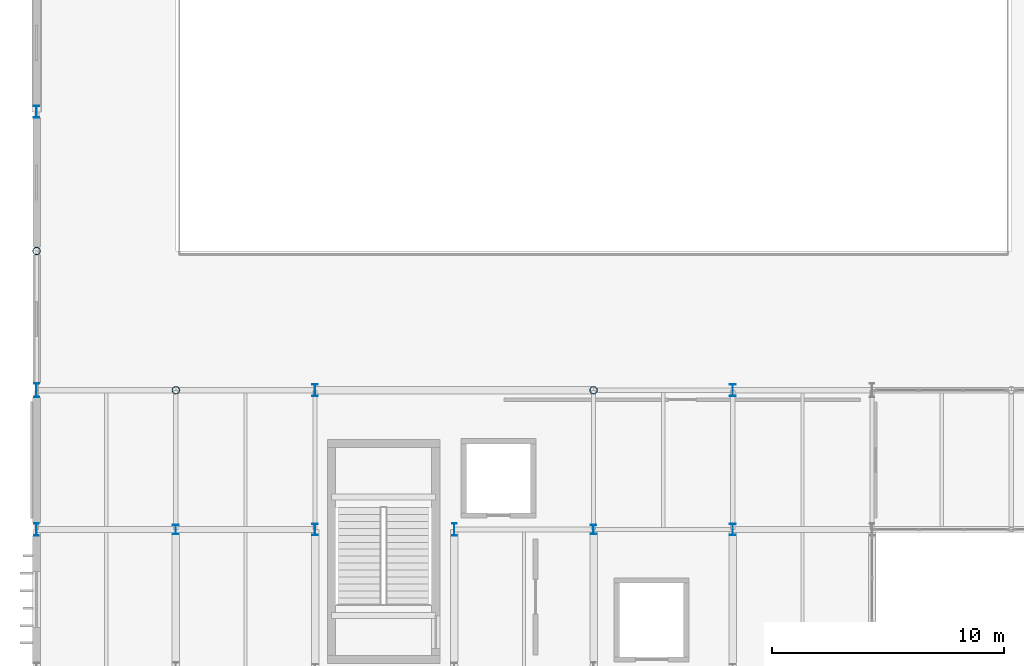
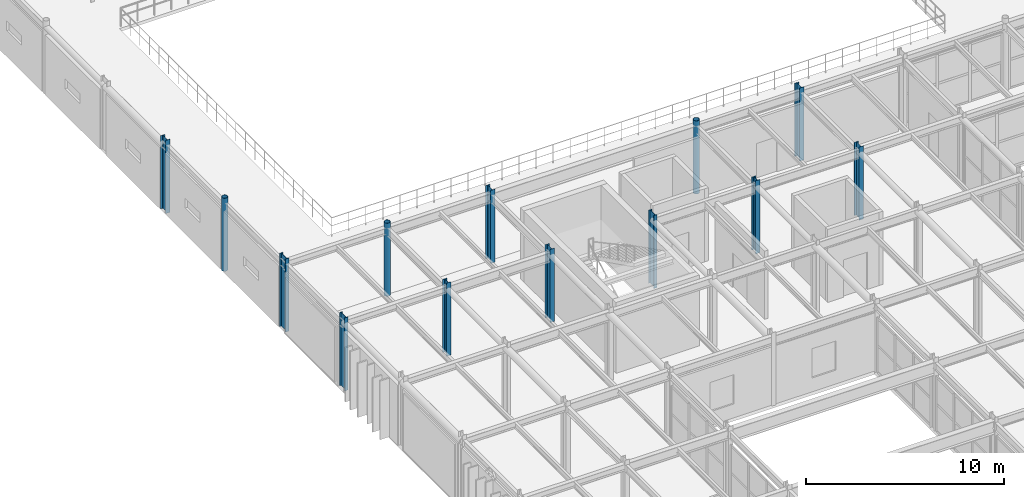
# One storey, part 7 of 84: 13 columns.
"""IFC4 building model written with IfcOpenShell, lengths in metres."""

import ifcopenshell
import ifcopenshell.guid

model = None  # the IFC model being written
_history = None  # IfcOwnerHistory: only IFC2X3 demands one
_inside = {}  # id of a spatial element -> (the spatial element, [elements in it])
_under = {}  # id of a project, library or spatial element -> (it, [spatial elements below it])
_declared = {}  # id of a project -> (the project, [libraries it declares])
_typed = {}  # id of a type object -> (the type object, [elements of that type])
_made_of = {}  # id of a material, layer set ... -> (it, [elements and type objects made of it])


def new_model(schema):
    """Start an empty IFC model of exactly this schema.

    Asked for "IFC4X3", IfcOpenShell would pick the latest addendum, in which some entities
    have other attributes; the version numbers below select the first issue.
    IFC2X3 requires an IfcOwnerHistory on every rooted entity: one is made here for all.
    """
    global model, _history
    if schema == "IFC4X3":
        model = ifcopenshell.file(schema_version=(4, 3, 0, 0))
    else:
        model = ifcopenshell.file(schema=schema)
    _inside.clear()
    _under.clear()
    _declared.clear()
    _typed.clear()
    _made_of.clear()
    _history = None
    if model.schema == "IFC2X3":
        org = make("IfcOrganization", Name="unknown")
        user = make(
            "IfcPersonAndOrganization",
            ThePerson=make("IfcPerson", FamilyName="unknown"),
            TheOrganization=org,
        )
        app = make(
            "IfcApplication",
            ApplicationDeveloper=org,
            Version="unknown",
            ApplicationFullName="unknown",
            ApplicationIdentifier="unknown",
        )
        _history = make(
            "IfcOwnerHistory",
            OwningUser=user,
            OwningApplication=app,
            ChangeAction="ADDED",
            CreationDate=0,
        )
    return model


def make(cls, **values):
    """One entity of the class cls with the attributes given. An attribute that is None is left unset."""
    return model.create_entity(
        cls, **{name: value for name, value in values.items() if value is not None}
    )


def rooted(cls, **values):
    """An entity with a GlobalId (a new one), such as an element, a storey or a relation."""
    return make(cls, GlobalId=ifcopenshell.guid.new(), OwnerHistory=_history, **values)


def si_unit(unit_type, name, prefix=None):
    """IfcSIUnit, for example si_unit("LENGTHUNIT", "METRE", prefix="MILLI")."""
    return make("IfcSIUnit", UnitType=unit_type, Prefix=prefix, Name=name)


def assignment(units):
    """IfcUnitAssignment: the units of a project."""
    return None if units is None else make("IfcUnitAssignment", Units=units)


def point(xyz):
    """IfcCartesianPoint."""
    return None if xyz is None else make("IfcCartesianPoint", Coordinates=xyz)


def direction(xyz):
    """IfcDirection."""
    return None if xyz is None else make("IfcDirection", DirectionRatios=xyz)


def frame(location, z_axis=None, x_axis=None):
    """IfcAxis2Placement3D, a coordinate frame: its origin and axes. An axis left out is left unset."""
    return make(
        "IfcAxis2Placement3D",
        Location=point(location),
        Axis=direction(z_axis),
        RefDirection=direction(x_axis),
    )


def frame_2d(location, x_axis=None):
    """IfcAxis2Placement2D, a coordinate frame in the plane: its origin and x axis."""
    return make(
        "IfcAxis2Placement2D", Location=point(location), RefDirection=direction(x_axis)
    )


def origin():
    """The frame at (0, 0, 0) with its axes left unset."""
    return frame((0.0, 0.0, 0.0))


def origin_2d():
    """The frame at (0, 0) in the plane with its x axis left unset."""
    return frame_2d((0.0, 0.0))


def place(relative_to, where):
    """IfcLocalPlacement: puts the frame where relative to a parent placement (None: the world)."""
    return make(
        "IfcLocalPlacement", PlacementRelTo=relative_to, RelativePlacement=where
    )


def context(
    kind, dimensions, precision=None, world=None, true_north=None, identifier=None
):
    """IfcGeometricRepresentationContext, for example the 3D "Model" context."""
    return make(
        "IfcGeometricRepresentationContext",
        ContextIdentifier=identifier,
        ContextType=kind,
        CoordinateSpaceDimension=dimensions,
        Precision=precision,
        WorldCoordinateSystem=world,
        TrueNorth=true_north,
    )


def subcontext(parent, identifier, kind, view, scale=None):
    """IfcGeometricRepresentationSubContext, for example "Body" below "Model"."""
    return make(
        "IfcGeometricRepresentationSubContext",
        ContextIdentifier=identifier,
        ContextType=kind,
        ParentContext=parent,
        TargetScale=scale,
        TargetView=view,
    )


def project(units=None, contexts=None):
    """IfcProject with its units and contexts."""
    return rooted(
        "IfcProject",
        Name="project",
        RepresentationContexts=contexts,
        UnitsInContext=assignment(units),
    )


def spatial(cls, under=None, at=None, **own):
    """A site, building, storey or space (cls), placed at a placement, below another one or the project."""
    s = rooted(cls, ObjectPlacement=at, **own)
    if under is not None:
        _under.setdefault(under.id(), (under, []))[1].append(s)
    return s


def profile(cls, at=None, kind="AREA", **sizes):
    """A parametric profile (cls). Its sizes go by their IFC names, for example OverallWidth=200.0."""
    return make(cls, ProfileType=kind, Position=at, **sizes)


def hollow_circle(**sizes):
    """IfcCircleHollowProfileDef."""
    return profile("IfcCircleHollowProfileDef", **sizes)


def i_section(**sizes):
    """IfcIShapeProfileDef."""
    return profile("IfcIShapeProfileDef", **sizes)


def extrude(swept, where, along, depth):
    """IfcExtrudedAreaSolid: the profile swept, set in the frame where, extruded along a direction by depth."""
    return make(
        "IfcExtrudedAreaSolid",
        SweptArea=swept,
        Position=where,
        ExtrudedDirection=direction(along),
        Depth=depth,
    )


def shape(context_of_items, identifier, shape_type, items):
    """IfcShapeRepresentation: the items that make up one representation, for example the "Body"."""
    return make(
        "IfcShapeRepresentation",
        ContextOfItems=context_of_items,
        RepresentationIdentifier=identifier,
        RepresentationType=shape_type,
        Items=items,
    )


def material(Name=None, Category=None):
    """IfcMaterial."""
    return make("IfcMaterial", Name=Name, Category=Category)


def material_profile(
    of_material, cross_section, Name=None, Category=None, Priority=None
):
    """IfcMaterialProfile: a cross section and its material."""
    return make(
        "IfcMaterialProfile",
        Name=Name,
        Material=of_material,
        Profile=cross_section,
        Priority=Priority,
        Category=Category,
    )


def profile_set(profiles, Name=None, composite=None):
    """IfcMaterialProfileSet."""
    return make(
        "IfcMaterialProfileSet",
        Name=Name,
        MaterialProfiles=profiles,
        CompositeProfile=composite,
    )


def made_of(thing, what):
    """Note that an element or type object is made of a material, layer set ...; save() writes the relation."""
    if what is not None:
        _made_of.setdefault(what.id(), (what, []))[1].append(thing)
    return thing


def type_object(cls, material=None, **own):
    """A type object (cls), such as IfcWallType, which elements share."""
    return made_of(rooted(cls, **own), material)


def element(
    cls,
    number,
    at=None,
    inside=None,
    cuts=None,
    type_object=None,
    material=None,
    context=None,
    identifier="Body",
    shape_type=None,
    held_by="IfcProductDefinitionShape",
    body=None,
    shapes=None,
    **own,
):
    """One element of the class cls, such as IfcWall. Its Tag is "e" and its number.

    at: its placement. inside: the storey or other place that contains it. cuts: it is an
    opening in that element (IfcRelVoidsElement). A single representation is given by context,
    identifier, shape_type and body (its items); several are given by shapes. held_by: the class
    of the entity that holds the representations. save() writes the other relations.
    """
    e = rooted(cls, Tag="e%d" % number, ObjectPlacement=at, **own)
    if body is not None:
        shapes = [shape(context, identifier, shape_type, body)]
    if shapes is not None:
        e.Representation = make(held_by, Representations=shapes)
    if inside is not None:
        _inside.setdefault(inside.id(), (inside, []))[1].append(e)
    if cuts is not None:
        rooted(
            "IfcRelVoidsElement", RelatingBuildingElement=cuts, RelatedOpeningElement=e
        )
    if type_object is not None:
        _typed.setdefault(type_object.id(), (type_object, []))[1].append(e)
    return made_of(e, material)


def aggregate(whole, parts):
    """IfcRelAggregates: a whole, such as a stair, and the parts it consists of."""
    return rooted("IfcRelAggregates", RelatingObject=whole, RelatedObjects=parts)


def save(model, path):
    """Write the relations noted so far, then the file.

    IfcRelAggregates (storeys below a building ...), IfcRelContainedInSpatialStructure (elements
    in a storey), IfcRelDefinesByType, IfcRelAssociatesMaterial and IfcRelDeclares: one each for
    every whole, place, type object, material and project.
    """
    for whole, parts in _under.values():
        aggregate(whole, parts)
    for where, things in _inside.values():
        rooted(
            "IfcRelContainedInSpatialStructure",
            RelatedElements=things,
            RelatingStructure=where,
        )
    for kind, things in _typed.values():
        rooted("IfcRelDefinesByType", RelatedObjects=things, RelatingType=kind)
    for what, things in _made_of.values():
        rooted("IfcRelAssociatesMaterial", RelatedObjects=things, RelatingMaterial=what)
    for by, libraries in _declared.values():
        rooted("IfcRelDeclares", RelatingContext=by, RelatedDefinitions=libraries)
    model.write(path)


model = new_model("IFC4")

# Units and contexts
model_context = context("Model", 3, precision=1e-05, world=origin(), true_north=direction((0.0, 1.0)))
body_context = subcontext(model_context, "Body", "Model", "MODEL_VIEW")
ifc_project = project(units=[si_unit("LENGTHUNIT", "METRE"), si_unit("AREAUNIT", "SQUARE_METRE"), si_unit("VOLUMEUNIT", "CUBIC_METRE"), si_unit("PLANEANGLEUNIT", "RADIAN"), si_unit("MASSUNIT", "GRAM", prefix="KILO")], contexts=[model_context])

# Site, building, storey
site_placement = place(None, origin())
site = spatial("IfcSite", under=ifc_project, at=site_placement, CompositionType="ELEMENT")
building_placement = place(site_placement, origin())
building = spatial("IfcBuilding", under=site, at=building_placement, Name="Varnakota Square Police Headquarters", CompositionType="ELEMENT")
storey_placement = place(building_placement, frame((0.0, 0.0, 13.5)))
storey = spatial("IfcBuildingStorey", under=building, at=storey_placement, Name="L03", CompositionType="ELEMENT", Elevation=13.5)

# Columns
ifc_material = material(Name="Steel IS 2062 Grade 350", Category="steel")
ifc_material_profile_1 = material_profile(ifc_material, hollow_circle(Radius=0.161865234375, WallThickness=0.0126953125, at=origin_2d()), Name="CHS 323.9x12.7")
ifc_profile_set_1 = profile_set([ifc_material_profile_1], Name="Steel IS 2062 Grade 350")
column_type_1 = type_object("IfcColumnType", Name="COL-CHS324", PredefinedType="COLUMN", material=ifc_profile_set_1)
for number, where, z_axis, x_axis, name in (
    (1, (6.0, 81.0, 0.0), (0.0, 0.0, 1.0), (1.0, 0.0, 0.0), "Column X0060-Y0810 L03"),
    (2, (12.0, 75.0, 0.0), (0.0, 0.0, 1.0), (1.0, 0.0, 0.0), "Column X0120-Y0750 L03"),
    (3, (30.0, 75.0, 0.0), (0.0, 0.0, 1.0), (1.0, 0.0, 0.0), "Column X0300-Y0750 L03"),
):
    element("IfcColumn", number, at=place(storey_placement, frame(where, z_axis=z_axis, x_axis=x_axis)), inside=storey, type_object=column_type_1, Name=name, PredefinedType="COLUMN", context=body_context, shape_type="SweptSolid", body=[
        extrude(hollow_circle(Radius=0.161865234375, WallThickness=0.0126953125, at=origin_2d()), origin(), (0.0, 0.0, 1.0), 4.5),
    ])
ifc_material_profile_2 = material_profile(ifc_material, i_section(OverallWidth=0.25, OverallDepth=0.39990234375, WebThickness=0.010498046875, FlangeThickness=0.0126953125, FilletRadius=0.013916015625, at=origin_2d()), Name="ISHB 400")
ifc_profile_set_2 = profile_set([ifc_material_profile_2], Name="Steel IS 2062 Grade 350")
column_type_2 = type_object("IfcColumnType", Name="COL-ISHB400", PredefinedType="COLUMN", material=ifc_profile_set_2)
for number, where, z_axis, x_axis, name in (
    (4, (12.0, 69.0, 0.0), (0.0, 0.0, 1.0), (1.0, 0.0, 0.0), "Column X0120-Y0690 L03"),
    (5, (30.0, 69.0, 0.0), (0.0, 0.0, 1.0), (1.0, 0.0, 0.0), "Column X0300-Y0690 L03"),
):
    element("IfcColumn", number, at=place(storey_placement, frame(where, z_axis=z_axis, x_axis=x_axis)), inside=storey, type_object=column_type_2, Name=name, PredefinedType="COLUMN", context=body_context, shape_type="SweptSolid", body=[
        extrude(i_section(OverallWidth=0.25, OverallDepth=0.39990234375, WebThickness=0.010498046875, FlangeThickness=0.0126953125, FilletRadius=0.013916015625, at=origin_2d()), origin(), (0.0, 0.0, 1.0), 4.5),
    ])
ifc_material_profile_3 = material_profile(ifc_material, i_section(OverallWidth=0.18994140625, OverallDepth=0.550048828125, WebThickness=0.01123046875, FlangeThickness=0.019287109375, FilletRadius=0.01806640625, at=origin_2d()), Name="ISMB 550")
ifc_profile_set_3 = profile_set([ifc_material_profile_3], Name="Steel IS 2062 Grade 350")
column_type_3 = type_object("IfcColumnType", Name="COL-ISMB550", PredefinedType="COLUMN", material=ifc_profile_set_3)
for number, where, z_axis, x_axis, name in (
    (6, (6.0, 69.0, 0.0), (0.0, 0.0, 1.0), (1.0, 0.0, 0.0), "Column X0060-Y0690 L03"),
    (7, (24.0, 69.0, 0.0), (0.0, 0.0, 1.0), (1.0, 0.0, 0.0), "Column X0240-Y0690 L03"),
):
    element("IfcColumn", number, at=place(storey_placement, frame(where, z_axis=z_axis, x_axis=x_axis)), inside=storey, type_object=column_type_3, Name=name, PredefinedType="COLUMN", context=body_context, shape_type="SweptSolid", body=[
        extrude(i_section(OverallWidth=0.18994140625, OverallDepth=0.550048828125, WebThickness=0.01123046875, FlangeThickness=0.019287109375, FilletRadius=0.01806640625, at=origin_2d()), origin(), (0.0, 0.0, 1.0), 4.5),
    ])
ifc_material_profile_4 = material_profile(ifc_material, i_section(OverallWidth=0.2099609375, OverallDepth=0.60009765625, WebThickness=0.011962890625, FlangeThickness=0.020751953125, FilletRadius=0.02001953125, at=origin_2d()), Name="ISMB 600")
ifc_profile_set_4 = profile_set([ifc_material_profile_4], Name="Steel IS 2062 Grade 350")
column_type_4 = type_object("IfcColumnType", Name="COL-ISMB600", PredefinedType="COLUMN", material=ifc_profile_set_4)
column_placement = place(storey_placement, frame((6.0, 75.0, 0.0), z_axis=(0.0, 0.0, 1.0), x_axis=(1.0, 0.0, 0.0)))
element("IfcColumn", 8, at=column_placement, inside=storey, type_object=column_type_4, Name="Column X0060-Y0750 L03", PredefinedType="COLUMN", context=body_context, shape_type="SweptSolid", body=[
    extrude(i_section(OverallWidth=0.2099609375, OverallDepth=0.60009765625, WebThickness=0.011962890625, FlangeThickness=0.020751953125, FilletRadius=0.02001953125, at=origin_2d()), origin(), (0.0, 0.0, 1.0), 4.5),
])
ifc_material_profile_5 = material_profile(ifc_material, i_section(OverallWidth=0.25, OverallDepth=0.5, WebThickness=0.010009765625, FlangeThickness=0.0146484375, FilletRadius=0.014892578125, at=origin_2d()), Name="ISWB 500")
ifc_profile_set_5 = profile_set([ifc_material_profile_5], Name="Steel IS 2062 Grade 350")
column_type_5 = type_object("IfcColumnType", Name="COL-ISWB500", PredefinedType="COLUMN", material=ifc_profile_set_5)
for number, where, z_axis, x_axis, name in (
    (9, (6.0, 87.0, 0.0), (0.0, 0.0, 1.0), (1.0, 0.0, 0.0), "Column X0060-Y0870 L03"),
    (10, (18.0, 69.0, 0.0), (0.0, 0.0, 1.0), (1.0, 0.0, 0.0), "Column X0180-Y0690 L03"),
    (11, (18.0, 75.0, 0.0), (0.0, 0.0, 1.0), (1.0, 0.0, 0.0), "Column X0180-Y0750 L03"),
    (12, (36.0, 69.0, 0.0), (0.0, 0.0, 1.0), (1.0, 0.0, 0.0), "Column X0360-Y0690 L03"),
    (13, (36.0, 75.0, 0.0), (0.0, 0.0, 1.0), (1.0, 0.0, 0.0), "Column X0360-Y0750 L03"),
):
    element("IfcColumn", number, at=place(storey_placement, frame(where, z_axis=z_axis, x_axis=x_axis)), inside=storey, type_object=column_type_5, Name=name, PredefinedType="COLUMN", context=body_context, shape_type="SweptSolid", body=[
        extrude(i_section(OverallWidth=0.25, OverallDepth=0.5, WebThickness=0.010009765625, FlangeThickness=0.0146484375, FilletRadius=0.014892578125, at=origin_2d()), origin(), (0.0, 0.0, 1.0), 4.5),
    ])

save(model, "model.ifc")
